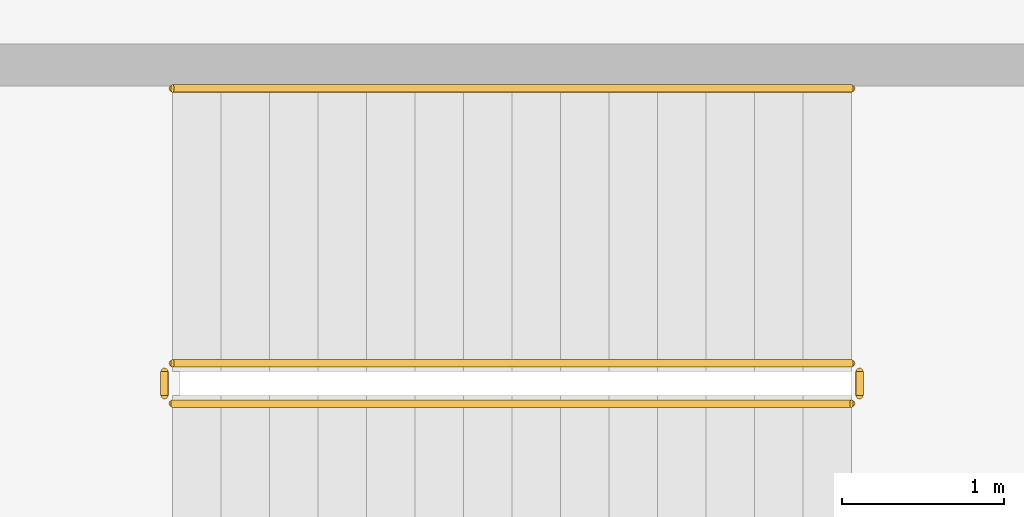
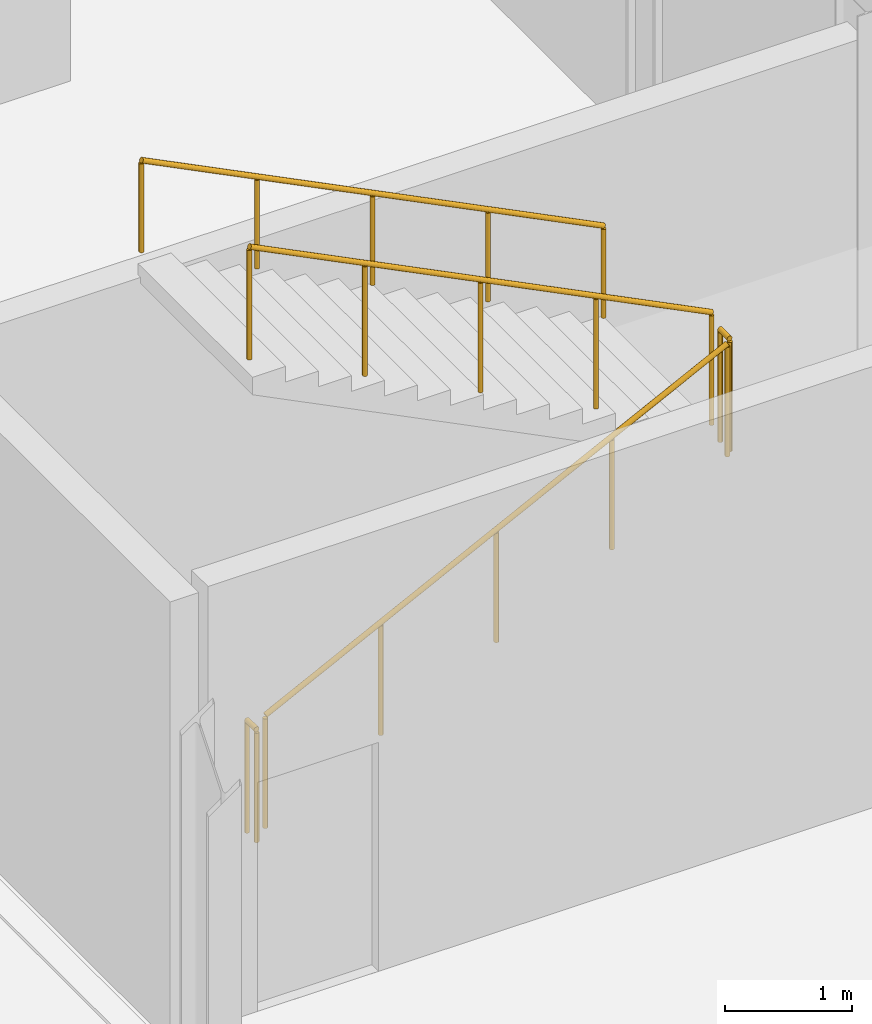
# One storey, part 88 of 101: 5 railings.
"""IFC4 building model written with IfcOpenShell, lengths in metres."""

from ifc_helpers import new_model, si_unit, direction, frame, origin, origin_2d, place, context, subcontext, project, spatial, circle, extrude, material, type_object, element, save


model = new_model("IFC4")

# Units and contexts
model_context = context("Model", 3, precision=1e-05, world=origin(), true_north=direction((0.0, 1.0)))
body_context = subcontext(model_context, "Body", "Model", "MODEL_VIEW")
ifc_project = project(units=[si_unit("LENGTHUNIT", "METRE"), si_unit("AREAUNIT", "SQUARE_METRE"), si_unit("VOLUMEUNIT", "CUBIC_METRE"), si_unit("PLANEANGLEUNIT", "RADIAN"), si_unit("MASSUNIT", "GRAM", prefix="KILO")], contexts=[model_context])

# Site, building, storey
site_placement = place(None, origin())
site = spatial("IfcSite", under=ifc_project, at=site_placement, CompositionType="ELEMENT")
building_placement = place(site_placement, origin())
building = spatial("IfcBuilding", under=site, at=building_placement, Name="Zevrakil Square Congress Hotel", CompositionType="ELEMENT")
storey_placement = place(building_placement, frame((0.0, 0.0, 5.39990234375)))
storey = spatial("IfcBuildingStorey", under=building, at=storey_placement, Name="L02", CompositionType="ELEMENT", Elevation=5.39990234375)

# Railings
ifc_material_1 = material(Name="Steel S355", Category="steel")
railing_type_1 = type_object("IfcRailingType", Name="RLG-STAIR-GUARD-1100", PredefinedType="BALUSTRADE", material=ifc_material_1)
railing_1_placement = place(storey_placement, frame((57.39990234375, 86.949951171875, 0.150146484375)))
element("IfcRailing", 1, at=railing_1_placement, inside=storey, type_object=railing_type_1, Name="L02 ST05 stair guard 1", PredefinedType="BALUSTRADE", context=body_context, shape_type="SweptSolid", body=[
    extrude(circle(Radius=0.02392578125, at=origin_2d()), frame((0.0, 0.0, 1.076171875), z_axis=(0.894447986312, 0.0, 0.447172002457), x_axis=(0.0, 1.0, 0.0)), (0.0, 0.0, 1.0), 4.69580078125),
    extrude(circle(Radius=0.02099609375, at=origin_2d()), origin(), (0.0, 0.0, 1.0), 1.052001953125),
    extrude(circle(Radius=0.02099609375, at=origin_2d()), frame((1.050048828125, 0.0, 0.52490234375)), (0.0, 0.0, 1.0), 1.052001953125),
    extrude(circle(Radius=0.02099609375, at=origin_2d()), frame((2.10009765625, 0.0, 1.0498046875)), (0.0, 0.0, 1.0), 1.052001953125),
    extrude(circle(Radius=0.02099609375, at=origin_2d()), frame((3.150146484375, 0.0, 1.574951171875)), (0.0, 0.0, 1.0), 1.052001953125),
    extrude(circle(Radius=0.02099609375, at=origin_2d()), frame((4.2001953125, 0.0, 2.099853515625)), (0.0, 0.0, 1.0), 1.052001953125),
])
railing_2_placement = place(storey_placement, frame((61.64990234375, 87.0, 2.25)))
element("IfcRailing", 2, at=railing_2_placement, inside=storey, type_object=railing_type_1, Name="L02 ST05 stair guard 2", PredefinedType="BALUSTRADE", context=body_context, shape_type="SweptSolid", body=[
    extrude(circle(Radius=0.02392578125, at=origin_2d()), frame((0.0, 0.0, 1.076171875), z_axis=(0.0, 1.0, 0.0), x_axis=(-1.0, 0.0, 0.0)), (0.0, 0.0, 1.0), 0.14990234375),
    extrude(circle(Radius=0.02099609375, at=origin_2d()), origin(), (0.0, 0.0, 1.0), 1.052001953125),
    extrude(circle(Radius=0.02099609375, at=origin_2d()), frame((0.0, 0.14990234375, 0.0)), (0.0, 0.0, 1.0), 1.052001953125),
])
railing_3_placement = place(storey_placement, frame((61.60009765625, 87.199951171875, 2.400146484375)))
element("IfcRailing", 3, at=railing_3_placement, inside=storey, type_object=railing_type_1, Name="L02 ST05 stair guard 3", PredefinedType="BALUSTRADE", context=body_context, shape_type="SweptSolid", body=[
    extrude(circle(Radius=0.02392578125, at=origin_2d()), frame((0.0, 0.0, 1.076171875), z_axis=(-0.894447986312, 0.0, 0.447172002457), x_axis=(0.0, -1.0, 0.0)), (0.0, 0.0, 1.0), 4.69580078125),
    extrude(circle(Radius=0.02099609375, at=origin_2d()), origin(), (0.0, 0.0, 1.0), 1.052001953125),
    extrude(circle(Radius=0.02099609375, at=origin_2d()), frame((-1.050048828125, 0.0, 0.52490234375)), (0.0, 0.0, 1.0), 1.052001953125),
    extrude(circle(Radius=0.02099609375, at=origin_2d()), frame((-2.10009765625, 0.0, 1.0498046875)), (0.0, 0.0, 1.0), 1.052001953125),
    extrude(circle(Radius=0.02099609375, at=origin_2d()), frame((-3.150146484375, 0.0, 1.574951171875)), (0.0, 0.0, 1.0), 1.052001953125),
    extrude(circle(Radius=0.02099609375, at=origin_2d()), frame((-4.2001953125, 0.0, 2.099853515625)), (0.0, 0.0, 1.0), 1.052001953125),
])
railing_4_placement = place(storey_placement, frame((57.35009765625, 87.0, 0.0)))
element("IfcRailing", 4, at=railing_4_placement, inside=storey, type_object=railing_type_1, Name="L02 ST05 stair guard 4", PredefinedType="BALUSTRADE", context=body_context, shape_type="SweptSolid", body=[
    extrude(circle(Radius=0.02392578125, at=origin_2d()), frame((0.0, 0.0, 1.076171875), z_axis=(0.0, 1.0, 0.0), x_axis=(-1.0, 0.0, 0.0)), (0.0, 0.0, 1.0), 0.14990234375),
    extrude(circle(Radius=0.02099609375, at=origin_2d()), origin(), (0.0, 0.0, 1.0), 1.052001953125),
    extrude(circle(Radius=0.02099609375, at=origin_2d()), frame((0.0, 0.14990234375, 0.0)), (0.0, 0.0, 1.0), 1.052001953125),
])
ifc_material_2 = material(Name="Steel S355", Category="steel")
railing_type_2 = type_object("IfcRailingType", Name="RLG-STAIR-HAND-900", PredefinedType="HANDRAIL", material=ifc_material_2)
railing_5_placement = place(storey_placement, frame((61.60009765625, 88.89990234375, 2.400146484375)))
element("IfcRailing", 5, at=railing_5_placement, inside=storey, type_object=railing_type_2, Name="L02 ST05 stair handrail 2", PredefinedType="HANDRAIL", context=body_context, shape_type="SweptSolid", body=[
    extrude(circle(Radius=0.02392578125, at=origin_2d()), frame((0.0, 0.0, 0.8759765625), z_axis=(-0.894447986312, 0.0, 0.447172002457), x_axis=(0.0, -1.0, 0.0)), (0.0, 0.0, 1.0), 4.69580078125),
    extrude(circle(Radius=0.02099609375, at=origin_2d()), origin(), (0.0, 0.0, 1.0), 0.851806640625),
    extrude(circle(Radius=0.02099609375, at=origin_2d()), frame((-1.050048828125, 0.0, 0.52490234375)), (0.0, 0.0, 1.0), 0.851806640625),
    extrude(circle(Radius=0.02099609375, at=origin_2d()), frame((-2.10009765625, 0.0, 1.0498046875)), (0.0, 0.0, 1.0), 0.851806640625),
    extrude(circle(Radius=0.02099609375, at=origin_2d()), frame((-3.150146484375, 0.0, 1.574951171875)), (0.0, 0.0, 1.0), 0.851806640625),
    extrude(circle(Radius=0.02099609375, at=origin_2d()), frame((-4.2001953125, 0.0, 2.099853515625)), (0.0, 0.0, 1.0), 0.851806640625),
])

save(model, "model.ifc")
